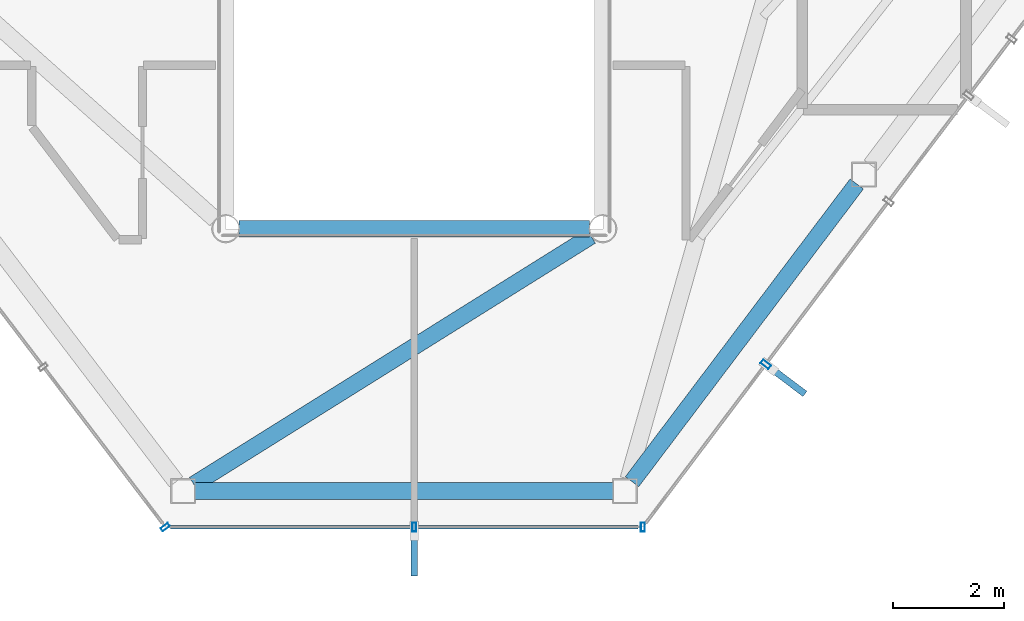
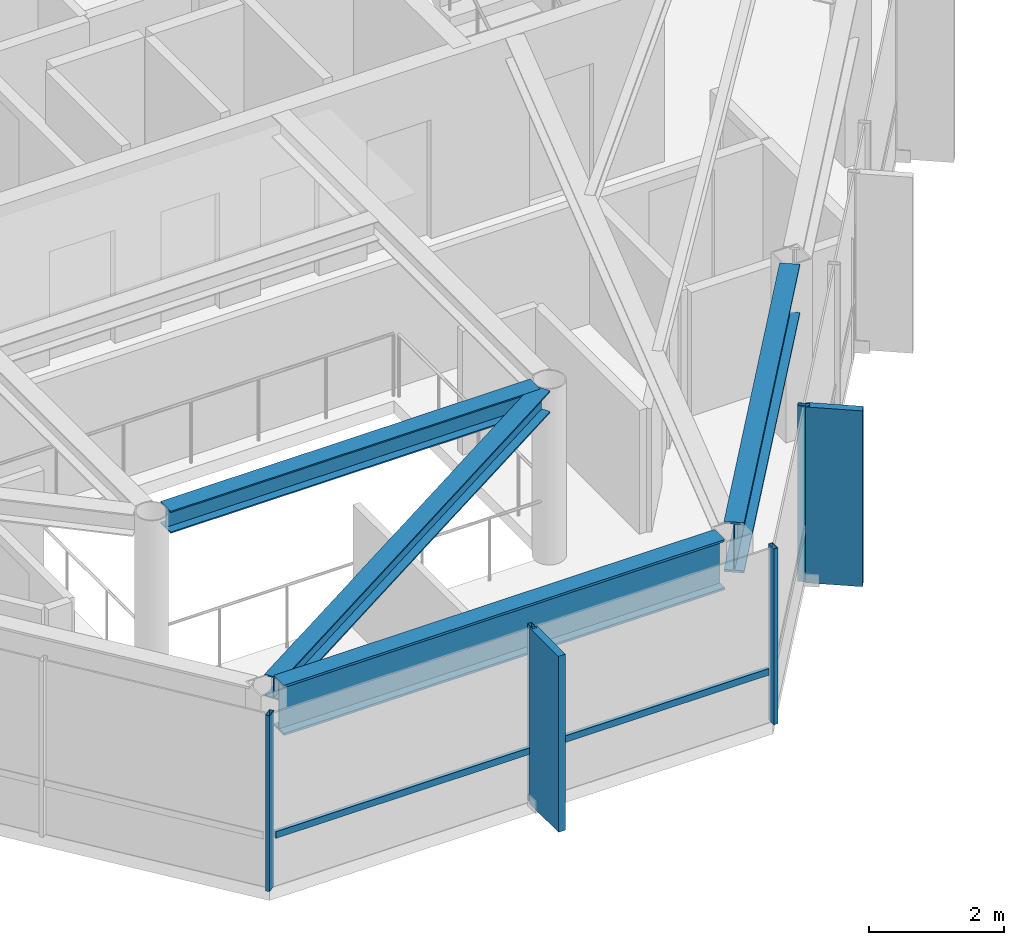
# One storey, part 7 of 23: 7 members, 4 beams, 3 elements without a shape of their own.
"""IFC4 building model written with IfcOpenShell, lengths in metres."""

from ifc_helpers import new_model, si_unit, direction, frame, origin, origin_2d, place, context, subcontext, project, spatial, rectangle, hollow_rectangle, i_section, extrude, material, layer, layer_set, material_profile, profile_set, type_object, element, aggregate, save


model = new_model("IFC4")

# Units and contexts
model_context = context("Model", 3, precision=1e-05, world=origin(), true_north=direction((0.0, 1.0)))
body_context = subcontext(model_context, "Body", "Model", "MODEL_VIEW")
ifc_project = project(units=[si_unit("LENGTHUNIT", "METRE"), si_unit("AREAUNIT", "SQUARE_METRE"), si_unit("VOLUMEUNIT", "CUBIC_METRE"), si_unit("PLANEANGLEUNIT", "RADIAN"), si_unit("MASSUNIT", "GRAM", prefix="KILO")], contexts=[model_context])

# Site, building, storey
site_placement = place(None, origin())
site = spatial("IfcSite", under=ifc_project, at=site_placement, CompositionType="ELEMENT")
building_placement = place(site_placement, origin())
building = spatial("IfcBuilding", under=site, at=building_placement, Name="Zarrinselat Tower", CompositionType="ELEMENT")
storey_placement = place(building_placement, frame((0.0, 0.0, 282.199951171875)))
storey = spatial("IfcBuildingStorey", under=building, at=storey_placement, Name="L72", CompositionType="ELEMENT", Elevation=282.199951171875)

# Beams
ifc_material_1 = material(Name="Steel S355J2", Category="steel")
ifc_material_profile_1 = material_profile(ifc_material_1, i_section(OverallWidth=0.300048828125, OverallDepth=0.39990234375, WebThickness=0.013427734375, FlangeThickness=0.02392578125, at=origin_2d()), Name="HEB 400")
ifc_profile_set_1 = profile_set([ifc_material_profile_1], Name="Steel S355J2")
beam_type_1 = type_object("IfcBeamType", Name="BM-HEB400", PredefinedType="BEAM", material=ifc_profile_set_1)
beam_1_placement = place(storey_placement, frame((35.239990234375, 25.199951171875, 2.97998046875), z_axis=(1.0, 0.0, 0.0), x_axis=(0.0, 1.0, 0.0)))
element("IfcBeam", 1, at=beam_1_placement, inside=storey, type_object=beam_type_1, Name="L72 Atrium Edge Beam S", PredefinedType="BEAM", context=body_context, shape_type="SweptSolid", body=[
    extrude(i_section(OverallWidth=0.300048828125, OverallDepth=0.39990234375, WebThickness=0.013427734375, FlangeThickness=0.02392578125, at=origin_2d()), origin(), (0.0, 0.0, 1.0), 6.320068359375),
])
beam_2_placement = place(storey_placement, frame((34.424560546875, 20.58935546875, 2.97998046875), z_axis=(0.847947969132, 0.530079467292, 0.0), x_axis=(-0.530079467292, 0.847947969132, 0.0)))
element("IfcBeam", 2, at=beam_2_placement, inside=storey, type_object=beam_type_1, Name="L72 Radial Primary Girder RG10", PredefinedType="BEAM", context=body_context, shape_type="SweptSolid", body=[
    extrude(i_section(OverallWidth=0.300048828125, OverallDepth=0.39990234375, WebThickness=0.013427734375, FlangeThickness=0.02392578125, at=origin_2d()), origin(), (0.0, 0.0, 1.0), 8.44775390625),
])
ifc_material_2 = material(Name="Steel S460M", Category="steel")
ifc_material_profile_2 = material_profile(ifc_material_2, i_section(OverallWidth=0.302001953125, OverallDepth=0.909912109375, WebThickness=0.02099609375, FlangeThickness=0.0400390625, at=origin_2d()), Name="HEM 900")
ifc_profile_set_2 = profile_set([ifc_material_profile_2], Name="Steel S460M")
beam_type_2 = type_object("IfcBeamType", Name="BM-HEM900", PredefinedType="BEAM", material=ifc_profile_set_2)
beam_3_placement = place(storey_placement, frame((34.445068359375, 20.468994140625, 2.72509765625), z_axis=(1.0, 0.0, 0.0), x_axis=(0.0, 1.0, 0.0)))
element("IfcBeam", 3, at=beam_3_placement, inside=storey, type_object=beam_type_2, Name="L72 Perimeter Spandrel Girder SP10", PredefinedType="BEAM", context=body_context, shape_type="SweptSolid", body=[
    extrude(i_section(OverallWidth=0.302001953125, OverallDepth=0.909912109375, WebThickness=0.02099609375, FlangeThickness=0.0400390625, at=origin_2d()), origin(), (0.0, 0.0, 1.0), 7.541015625),
])
beam_4_placement = place(storey_placement, frame((42.327392578125, 20.63916015625, 2.72509765625), z_axis=(0.602447918668, 0.798158195656, 0.0), x_axis=(-0.798158195656, 0.602447918668, 0.0)))
element("IfcBeam", 4, at=beam_4_placement, inside=storey, type_object=beam_type_2, Name="L72 Perimeter Spandrel Girder SP11", PredefinedType="BEAM", context=body_context, shape_type="SweptSolid", body=[
    extrude(i_section(OverallWidth=0.302001953125, OverallDepth=0.909912109375, WebThickness=0.02099609375, FlangeThickness=0.0400390625, at=origin_2d()), origin(), (0.0, 0.0, 1.0), 6.726318359375),
])

# Curtain wall, member
ifc_material_3 = material(Name="Extruded Aluminium Alloy EN AW-6063 T6", Category="aluminium")
ifc_layer_1 = layer(ifc_material_3, 0.199951171875)
ifc_layer_set_1 = layer_set([ifc_layer_1], Name="Extruded Aluminium Alloy EN AW-6063 T6")
curtain_wall_type_1 = type_object("IfcCurtainWallType", Name="CWS-BLADE", PredefinedType="NOTDEFINED", material=ifc_layer_set_1)
curtain_wall_1_placement = place(storey_placement, origin())
curtain_wall_1 = element("IfcCurtainWall", 5, at=curtain_wall_1_placement, inside=storey, type_object=curtain_wall_type_1, Name="L72 Unitised Curtain Wall CW-L72-E05", PredefinedType="NOTDEFINED")
ifc_material_4 = material(Name="Extruded Aluminium Alloy EN AW-6063 T6", Category="aluminium")
ifc_material_profile_3 = material_profile(ifc_material_4, hollow_rectangle(XDim=0.080078125, YDim=0.179931640625, WallThickness=0.0048828125, at=origin_2d()), Name="RHS 180x80x5")
ifc_profile_set_3 = profile_set([ifc_material_profile_3], Name="Extruded Aluminium Alloy EN AW-6063 T6")
member_type_1 = type_object("IfcMemberType", Name="MEM-CW-MUL", PredefinedType="MULLION", material=ifc_profile_set_3)
member_1_placement = place(storey_placement, frame((44.73876953125, 22.7548828125, 0.0), z_axis=(0.0, 0.0, 1.0), x_axis=(0.602445101176, 0.798160322284, 0.0)))
member_1 = element("IfcMember", 6, at=member_1_placement, type_object=member_type_1, Name="CW-L72-E05 Mullion 1", PredefinedType="MULLION", context=body_context, shape_type="SweptSolid", body=[
    extrude(hollow_rectangle(XDim=0.080078125, YDim=0.179931640625, WallThickness=0.0048828125, at=origin_2d()), origin(), (0.0, 0.0, 1.0), 3.179931640625),
])

ifc_material_5 = material(Name="Extruded Aluminium Alloy EN AW-6063 T6", Category="aluminium")
ifc_layer_2 = layer(ifc_material_5, 0.169921875)
ifc_layer_set_2 = layer_set([ifc_layer_2], Name="Extruded Aluminium Alloy EN AW-6063 T6")
curtain_wall_type_2 = type_object("IfcCurtainWallType", Name="CWS-RES", PredefinedType="NOTDEFINED", material=ifc_layer_set_2)
curtain_wall_2_placement = place(storey_placement, origin())
curtain_wall_2 = element("IfcCurtainWall", 7, at=curtain_wall_2_placement, inside=storey, type_object=curtain_wall_type_2, Name="L72 Unitised Curtain Wall CW-L72-E03", PredefinedType="NOTDEFINED")
ifc_material_6 = material(Name="Extruded Aluminium Alloy EN AW-6063 T6", Category="aluminium")
ifc_material_profile_4 = material_profile(ifc_material_6, hollow_rectangle(XDim=0.070068359375, YDim=0.159912109375, WallThickness=0.00390625, at=origin_2d()), Name="RHS 160x70x4")
ifc_profile_set_4 = profile_set([ifc_material_profile_4], Name="Extruded Aluminium Alloy EN AW-6063 T6")
member_type_2 = type_object("IfcMemberType", Name="MEM-CW-MUL2", PredefinedType="MULLION", material=ifc_profile_set_4)
member_2_placement = place(storey_placement, frame((33.909912109375, 19.819091796875, 0.0), z_axis=(0.0, 0.0, 1.0), x_axis=(0.60576733126, -0.795641841772, 0.0)))
member_2 = element("IfcMember", 8, at=member_2_placement, type_object=member_type_2, Name="CW-L72-E03 Mullion 9", PredefinedType="MULLION", context=body_context, shape_type="SweptSolid", body=[
    extrude(hollow_rectangle(XDim=0.070068359375, YDim=0.159912109375, WallThickness=0.00390625, at=origin_2d()), origin(), (0.0, 0.0, 1.0), 3.179931640625),
])
aggregate(curtain_wall_2, [member_2])

# Curtain wall, members
curtain_wall_3_placement = place(storey_placement, origin())
curtain_wall_3 = element("IfcCurtainWall", 9, at=curtain_wall_3_placement, inside=storey, type_object=curtain_wall_type_2, Name="L72 Unitised Curtain Wall CW-L72-E04", PredefinedType="NOTDEFINED")
member_3_placement = place(storey_placement, frame((38.39990234375, 19.819091796875, 0.0), z_axis=(0.0, 0.0, 1.0), x_axis=(1.0, 0.0, 0.0)))
member_3 = element("IfcMember", 10, at=member_3_placement, type_object=member_type_2, Name="CW-L72-E04 Mullion 1", PredefinedType="MULLION", context=body_context, shape_type="SweptSolid", body=[
    extrude(hollow_rectangle(XDim=0.070068359375, YDim=0.159912109375, WallThickness=0.00390625, at=origin_2d()), origin(), (0.0, 0.0, 1.0), 3.179931640625),
])
member_4_placement = place(storey_placement, frame((42.522705078125, 19.819091796875, 0.0), z_axis=(0.0, 0.0, 1.0), x_axis=(1.0, 0.0, 0.0)))
member_4 = element("IfcMember", 11, at=member_4_placement, type_object=member_type_2, Name="CW-L72-E04 Mullion 2", PredefinedType="MULLION", context=body_context, shape_type="SweptSolid", body=[
    extrude(hollow_rectangle(XDim=0.070068359375, YDim=0.159912109375, WallThickness=0.00390625, at=origin_2d()), origin(), (0.0, 0.0, 1.0), 3.179931640625),
])
ifc_material_7 = material(Name="Extruded Aluminium Alloy EN AW-6063 T6", Category="aluminium")
ifc_material_profile_5 = material_profile(ifc_material_7, hollow_rectangle(XDim=0.06005859375, YDim=0.1201171875, WallThickness=0.00390625, at=origin_2d()), Name="RHS 120x60x4")
ifc_profile_set_5 = profile_set([ifc_material_profile_5], Name="Extruded Aluminium Alloy EN AW-6063 T6")
member_type_3 = type_object("IfcMemberType", Name="MEM-CW-TRN2", PredefinedType="USERDEFINED", material=ifc_profile_set_5)
member_5_placement = place(storey_placement, frame((34.0, 19.819091796875, 0.949951171875), z_axis=(1.0, 0.0, 0.0), x_axis=(0.0, 1.0, 0.0)))
member_5 = element("IfcMember", 12, at=member_5_placement, type_object=member_type_3, Name="CW-L72-E04 Transom 1", ObjectType="TRANSOM", PredefinedType="USERDEFINED", context=body_context, shape_type="SweptSolid", body=[
    extrude(hollow_rectangle(XDim=0.06005859375, YDim=0.1201171875, WallThickness=0.00390625, at=origin_2d()), origin(), (0.0, 0.0, 1.0), 8.432861328125),
])
ifc_material_8 = material(Name="Honed Cream Travertine Stone", Category="masonry")
ifc_material_profile_6 = material_profile(ifc_material_8, rectangle(XDim=0.1201171875, YDim=0.85009765625, at=origin_2d()), Name="FIN 850x120")
ifc_profile_set_6 = profile_set([ifc_material_profile_6], Name="Honed Cream Travertine Stone")
member_type_4 = type_object("IfcMemberType", Name="MEM-STONE-FIN", PredefinedType="USERDEFINED", material=ifc_profile_set_6)
member_6_placement = place(storey_placement, frame((38.39990234375, 19.359130859375, 0.0), z_axis=(0.0, 0.0, 1.0), x_axis=(-1.0, 0.0, 0.0)))
member_6 = element("IfcMember", 13, at=member_6_placement, type_object=member_type_4, Name="L72 Stone Shading Fin CW-L72-E04-01", ObjectType="FIN", PredefinedType="USERDEFINED", context=body_context, shape_type="SweptSolid", body=[
    extrude(rectangle(XDim=0.1201171875, YDim=0.85009765625, at=origin_2d()), origin(), (0.0, 0.0, 1.0), 3.179931640625),
])
aggregate(curtain_wall_3, [member_3, member_6, member_4, member_5])

# Member
member_7_placement = place(storey_placement, frame((45.10595703125, 22.477783203125, 0.0), z_axis=(0.0, 0.0, 1.0), x_axis=(-0.602445101176, -0.798160322284, 0.0)))
member_7 = element("IfcMember", 14, at=member_7_placement, type_object=member_type_4, Name="L72 Stone Shading Fin CW-L72-E05-01", ObjectType="FIN", PredefinedType="USERDEFINED", context=body_context, shape_type="SweptSolid", body=[
    extrude(rectangle(XDim=0.1201171875, YDim=0.85009765625, at=origin_2d()), origin(), (0.0, 0.0, 1.0), 3.179931640625),
])

aggregate(curtain_wall_1, [member_1, member_7])

save(model, "model.ifc")
